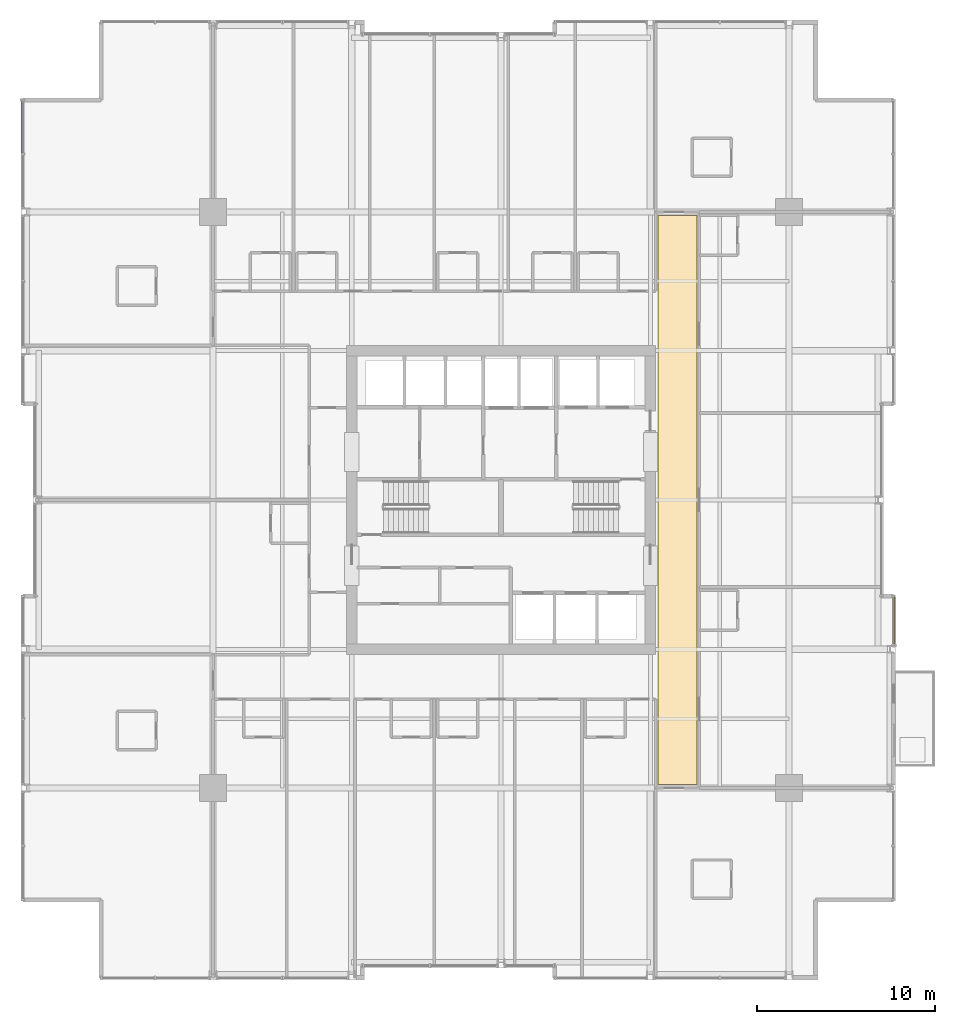
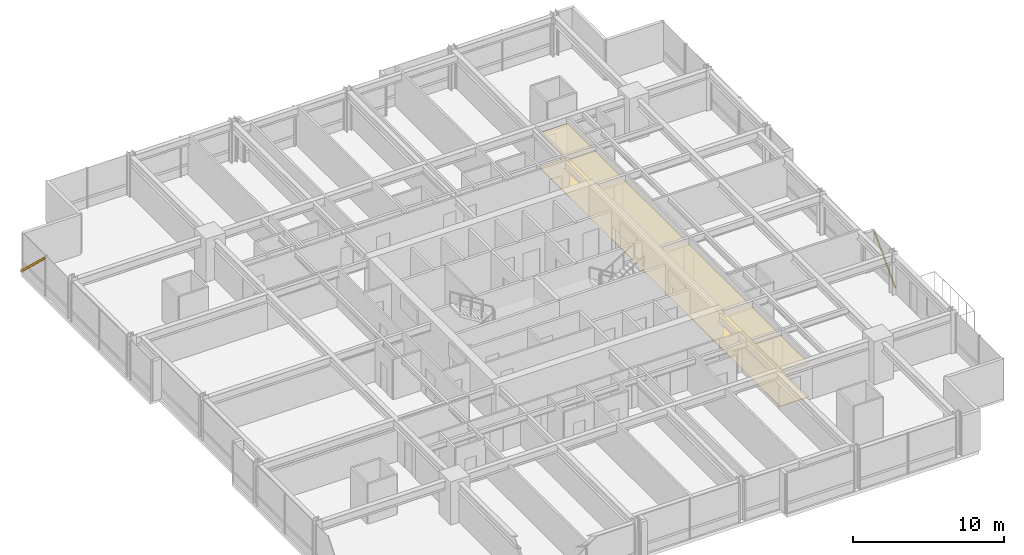
# One storey, part 34 of 34: 2 coverings, 2 shading devices.
"""IFC4 building model written with IfcOpenShell, lengths in metres."""

from ifc_helpers import new_model, si_unit, direction, frame, origin, origin_2d, place, context, subcontext, project, spatial, polyline, hollow_rectangle, outline, extrude, material, layer, layer_set, material_profile, profile_set, type_object, element, save


model = new_model("IFC4")

# Units and contexts
model_context = context("Model", 3, precision=1e-05, world=origin(), true_north=direction((0.0, 1.0)))
body_context = subcontext(model_context, "Body", "Model", "MODEL_VIEW")
ifc_project = project(units=[si_unit("LENGTHUNIT", "METRE"), si_unit("AREAUNIT", "SQUARE_METRE"), si_unit("VOLUMEUNIT", "CUBIC_METRE"), si_unit("PLANEANGLEUNIT", "RADIAN"), si_unit("MASSUNIT", "GRAM", prefix="KILO")], contexts=[model_context])

# Site, building, storey
site_placement = place(None, origin())
site = spatial("IfcSite", under=ifc_project, at=site_placement, CompositionType="ELEMENT")
building_placement = place(site_placement, origin())
building = spatial("IfcBuilding", under=site, at=building_placement, Name="Drelvath Grand Hotel", CompositionType="ELEMENT")
storey_placement = place(building_placement, frame((0.0, 0.0, 133.800048828125)))
storey = spatial("IfcBuildingStorey", under=building, at=storey_placement, Name="L34", CompositionType="ELEMENT", Elevation=133.800048828125)

# Shading devices
ifc_material_1 = material(Name="Champagne Bronze Anodised Aluminium", Category="aluminium")
ifc_material_profile = material_profile(ifc_material_1, hollow_rectangle(XDim=0.06494140625, YDim=0.159912109375, WallThickness=0.00390625, at=origin_2d()), Name="HSS160X65X4")
ifc_profile_set = profile_set([ifc_material_profile], Name="Champagne Bronze Anodised Aluminium")
shading_device_type = type_object("IfcShadingDeviceType", Name="Diagonal Solar Fin Champagne Anodised HSS160X65X4", PredefinedType="USERDEFINED", material=ifc_profile_set)
shading_device_1_placement = place(storey_placement, frame((-26.9599609375, 49.5, 0.179931640625), z_axis=(0.0, -0.72654778604, 0.687115939708), x_axis=(1.0, 0.0, 0.0)))
element("IfcShadingDevice", 1, at=shading_device_1_placement, inside=storey, type_object=shading_device_type, Name="L34 Diagonal Anodised Fin CW03-L34-WN3", ObjectType="FIN", PredefinedType="USERDEFINED", context=body_context, shape_type="SweptSolid", body=[
    extrude(hollow_rectangle(XDim=0.06494140625, YDim=0.159912109375, WallThickness=0.00390625, at=origin_2d()), origin(), (0.0, 0.0, 1.0), 4.191650390625),
])
shading_device_2_placement = place(storey_placement, frame((22.159912109375, 18.809326171875, 0.179931640625), z_axis=(0.0, 0.69587862873, 0.718159407149), x_axis=(-1.0, 0.0, 0.0)))
element("IfcShadingDevice", 2, at=shading_device_2_placement, inside=storey, type_object=shading_device_type, Name="L34 Diagonal Anodised Fin CW03-L34-ES3", ObjectType="FIN", PredefinedType="USERDEFINED", context=body_context, shape_type="SweptSolid", body=[
    extrude(hollow_rectangle(XDim=0.06494140625, YDim=0.159912109375, WallThickness=0.00390625, at=origin_2d()), origin(), (0.0, 0.0, 1.0), 4.010498046875),
])

# Coverings
ifc_material_2 = material(Name="Woven Wool Broadloom Carpet")
ifc_layer_1 = layer(ifc_material_2, 0.01806640625)
ifc_layer_set_1 = layer_set([ifc_layer_1], Name="Woven Wool Broadloom Carpet")
covering_type_1 = type_object("IfcCoveringType", Name="Hospitality Broadloom Carpet 18", PredefinedType="FLOORING", material=ifc_layer_set_1)
covering_1_placement = place(storey_placement, origin())
element("IfcCovering", 3, at=covering_1_placement, inside=storey, type_object=covering_type_1, Name="L34 East Spine Carpet", PredefinedType="FLOORING", context=body_context, shape_type="SweptSolid", body=[
    extrude(outline(polyline([(11.030029296875, 11.0), (11.030029296875, 43.0), (8.820068359375, 43.0), (8.820068359375, 11.0), (11.030029296875, 11.0)])), origin(), (0.0, 0.0, 1.0), 0.01806640625),
])
ifc_material_3 = material(Name="Anodised Aluminium Alloy", Category="aluminium")
ifc_layer_2 = layer(ifc_material_3, 0.0400390625)
ifc_layer_set_2 = layer_set([ifc_layer_2], Name="Anodised Aluminium Alloy")
covering_type_2 = type_object("IfcCoveringType", Name="Perforated Metal Corridor Ceiling 40", PredefinedType="CEILING", material=ifc_layer_set_2)
covering_2_placement = place(storey_placement, frame((0.0, 0.0, 2.68994140625)))
element("IfcCovering", 4, at=covering_2_placement, inside=storey, type_object=covering_type_2, Name="L34 East Spine Ceiling", PredefinedType="CEILING", context=body_context, shape_type="SweptSolid", body=[
    extrude(outline(polyline([(11.030029296875, 11.0), (11.030029296875, 43.0), (8.820068359375, 43.0), (8.820068359375, 11.0), (11.030029296875, 11.0)])), origin(), (0.0, 0.0, 1.0), 0.0400390625),
])

save(model, "model.ifc")
